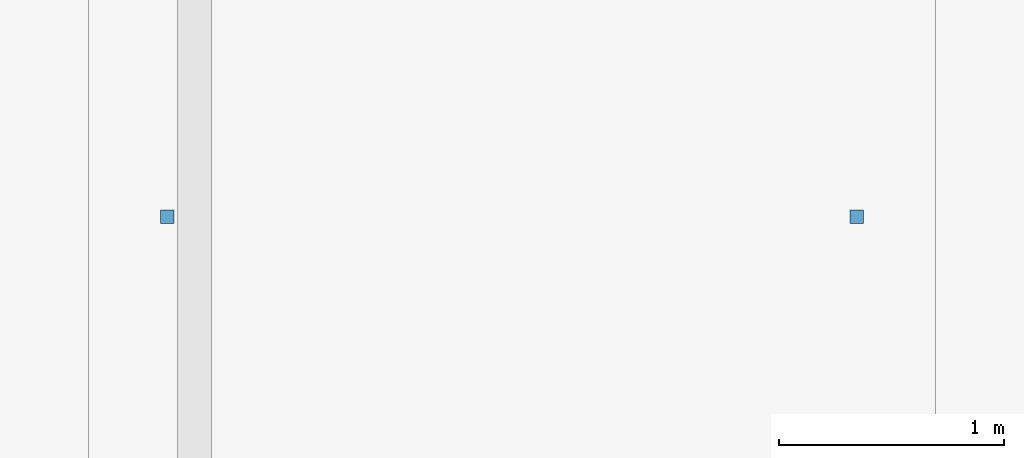
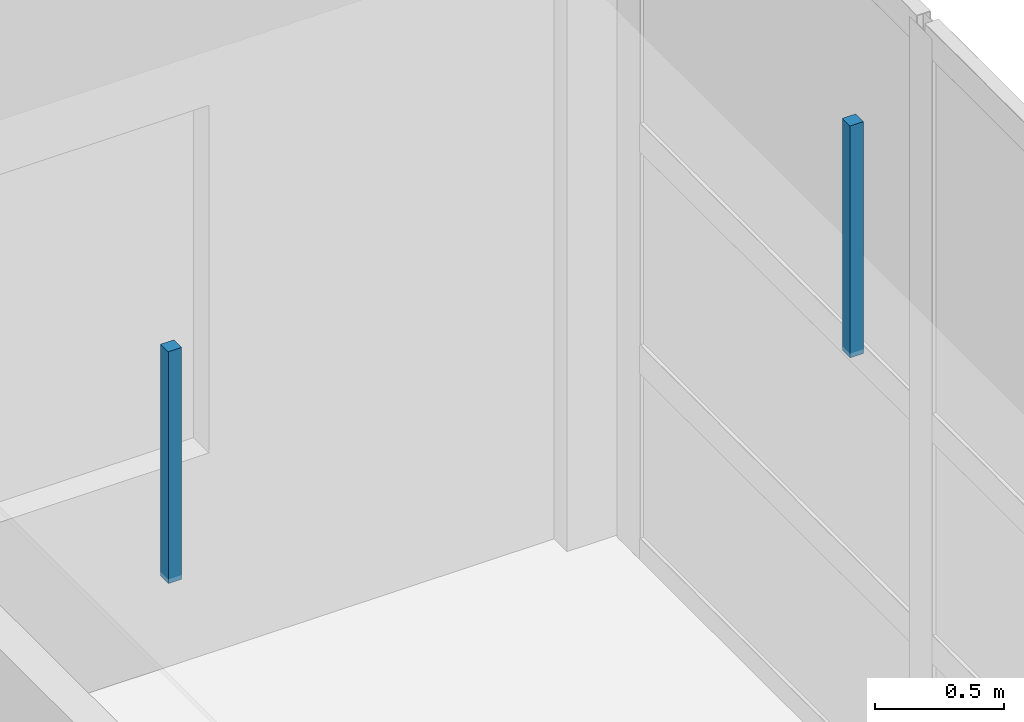
# One storey, part 121 of 147: 2 discrete accessories.
"""IFC4 building model written with IfcOpenShell, lengths in metres."""

from ifc_helpers import new_model, si_unit, direction, frame, origin, origin_2d, place, context, subcontext, project, spatial, rectangle, extrude, material, type_object, element, save


model = new_model("IFC4")

# Units and contexts
model_context = context("Model", 3, precision=1e-05, world=origin(), true_north=direction((0.0, 1.0)))
body_context = subcontext(model_context, "Body", "Model", "MODEL_VIEW")
ifc_project = project(units=[si_unit("LENGTHUNIT", "METRE"), si_unit("AREAUNIT", "SQUARE_METRE"), si_unit("VOLUMEUNIT", "CUBIC_METRE"), si_unit("PLANEANGLEUNIT", "RADIAN"), si_unit("MASSUNIT", "GRAM", prefix="KILO")], contexts=[model_context])

# Site, building, storey
site_placement = place(None, origin())
site = spatial("IfcSite", under=ifc_project, at=site_placement, CompositionType="ELEMENT")
building_placement = place(site_placement, origin())
building = spatial("IfcBuilding", under=site, at=building_placement, Name="Khelvaren Railside Concert Hall", CompositionType="ELEMENT")
storey_placement = place(building_placement, frame((0.0, 0.0, 5.39990234375)))
storey = spatial("IfcBuildingStorey", under=building, at=storey_placement, Name="L01", CompositionType="ELEMENT", Elevation=5.39990234375)

# Discrete accessories
ifc_material = material(Name="Galvanised steel acoustic ceiling hanger rod", Category="steel")
discrete_accessory_type = type_object("IfcDiscreteAccessoryType", Name="BRK62", PredefinedType="BRACKET", material=ifc_material)
for number, where, z_axis, x_axis, name in (
    (1, (179.8798828125, 110.125, 3.429931640625), (0.0, 0.0, 1.0), (1.0, 0.0, 0.0), "Acoustic Ceiling Suspension Bracket 145-1"),
    (2, (182.93994140625, 110.125, 3.429931640625), (0.0, 0.0, 1.0), (1.0, 0.0, 0.0), "Acoustic Ceiling Suspension Bracket 145-2"),
):
    element("IfcDiscreteAccessory", number, at=place(storey_placement, frame(where, z_axis=z_axis, x_axis=x_axis)), inside=storey, type_object=discrete_accessory_type, Name=name, PredefinedType="BRACKET", context=body_context, shape_type="SweptSolid", body=[
        extrude(rectangle(XDim=0.06005859375, YDim=0.06005859375, at=origin_2d()), origin(), (0.0, 0.0, 1.0), 1.10009765625),
    ])

save(model, "model.ifc")
